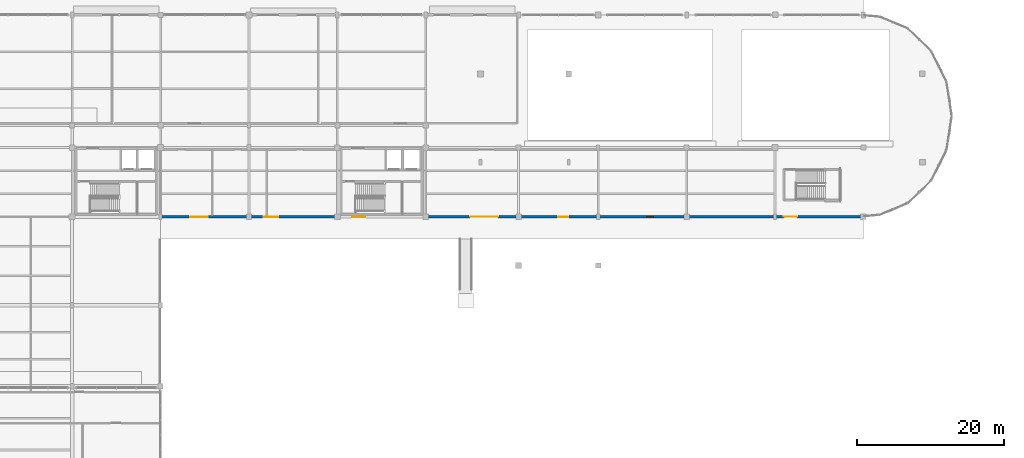
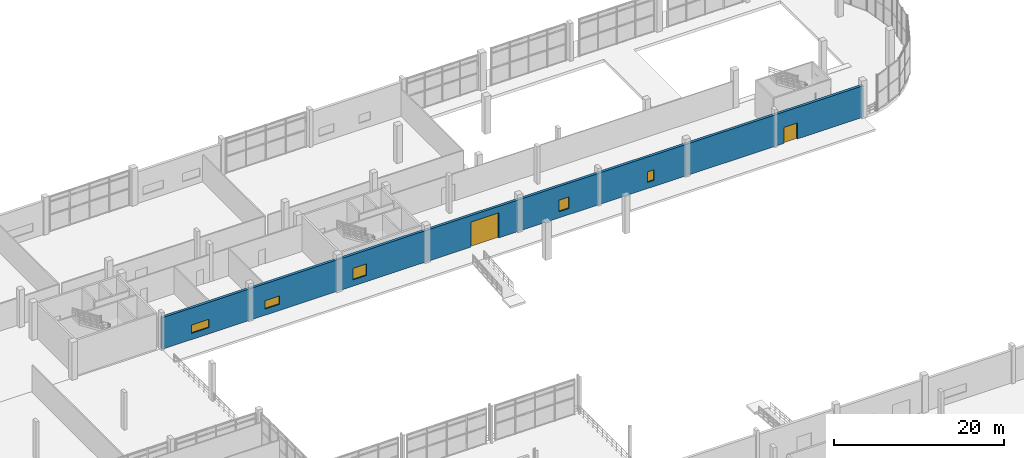
# One storey, part 62 of 85: 5 windows, 2 doors, 1 wall, 7 openings.
"""IFC4 building model written with IfcOpenShell, lengths in metres."""

from ifc_helpers import new_model, si_unit, direction, frame, frame_2d, origin, place, context, subcontext, project, spatial, rectangle, extrude, material, layer, layer_set, type_object, element, fill, save


model = new_model("IFC4")

# Units and contexts
model_context = context("Model", 3, precision=1e-05, world=origin(), true_north=direction((0.0, 1.0)))
body_context = subcontext(model_context, "Body", "Model", "MODEL_VIEW")
ifc_project = project(units=[si_unit("LENGTHUNIT", "METRE"), si_unit("AREAUNIT", "SQUARE_METRE"), si_unit("VOLUMEUNIT", "CUBIC_METRE"), si_unit("PLANEANGLEUNIT", "RADIAN"), si_unit("MASSUNIT", "GRAM", prefix="KILO"), si_unit("THERMODYNAMICTEMPERATUREUNIT", "KELVIN"), si_unit("POWERUNIT", "WATT")], contexts=[model_context])

# Site, building, storey
site_placement = place(None, origin())
site = spatial("IfcSite", under=ifc_project, at=site_placement, CompositionType="ELEMENT")
building_placement = place(site_placement, origin())
building = spatial("IfcBuilding", under=site, at=building_placement, Name="Solmara Park Aquatics Centre", CompositionType="ELEMENT")
storey_placement = place(building_placement, origin())
storey = spatial("IfcBuildingStorey", under=building, at=storey_placement, Name="L00", CompositionType="ELEMENT", Elevation=0.0)

# Wall, openings, doors, windows
ifc_material_1 = material(Name="Insulated Limestone Render Wall", Category="masonry")
ifc_layer = layer(ifc_material_1, 0.35009765625, Name="Insulated Limestone Render Wall")
ifc_layer_set = layer_set([ifc_layer], Name="Insulated Limestone Render Wall")
wall_type = type_object("IfcWallType", Name="ARC-WL-EXT350", PredefinedType="SOLIDWALL", material=ifc_layer_set)
wall_placement = place(storey_placement, frame((60.60009765625, 108.60009765625, 0.0), z_axis=(0.0, 0.0, 1.0), x_axis=(1.0, 0.0, 0.0)))
wall = element("IfcWall", 1, at=wall_placement, inside=storey, type_object=wall_type, Name="Exterior Facade Wall EW-L00-021", PredefinedType="SOLIDWALL", context=body_context, shape_type="SweptSolid", body=[
    extrude(rectangle(XDim=95.39990234375, YDim=0.35009765625, at=frame_2d((47.699951171875, 0.0))), origin(), (0.0, 0.0, 1.0), 4.530029296875),
])
opening_1_placement = place(wall_placement, frame((42.0, 0.0, 0.0)))
opening_1 = element("IfcOpeningElement", 2, at=opening_1_placement, cuts=wall, Name="Opening D-07", PredefinedType="OPENING", context=body_context, shape_type="SweptSolid", body=[
    extrude(rectangle(XDim=3.800048828125, YDim=3.60009765625, at=frame_2d((1.89990234375, 1.800048828125))), frame((0.0, 0.18505859375, 0.0), z_axis=(0.0, -1.0, 0.0), x_axis=(1.0, 0.0, 0.0)), (0.0, 0.0, 1.0), 0.3701171875),
])
opening_2_placement = place(wall_placement, frame((84.60009765625, 0.0, 0.0)))
opening_2 = element("IfcOpeningElement", 3, at=opening_2_placement, cuts=wall, Name="Opening D-03", PredefinedType="OPENING", context=body_context, shape_type="SweptSolid", body=[
    extrude(rectangle(XDim=1.800048828125, YDim=2.300048828125, at=frame_2d((0.89990234375, 1.14990234375))), frame((0.0, 0.18505859375, 0.0), z_axis=(0.0, -1.0, 0.0), x_axis=(1.0, 0.0, 0.0)), (0.0, 0.0, 1.0), 0.3701171875),
])
opening_3_placement = place(wall_placement, frame((4.0, 0.0, 0.89990234375)))
opening_3 = element("IfcOpeningElement", 4, at=opening_3_placement, cuts=wall, Name="Opening W-06", PredefinedType="OPENING", context=body_context, shape_type="SweptSolid", body=[
    extrude(rectangle(XDim=2.39990234375, YDim=1.199951171875, at=frame_2d((1.199951171875, 0.60009765625))), frame((0.0, 0.18505859375, 0.0), z_axis=(0.0, -1.0, 0.0), x_axis=(1.0, 0.0, 0.0)), (0.0, 0.0, 1.0), 0.3701171875),
])
opening_4_placement = place(wall_placement, frame((14.0, 0.0, 0.89990234375)))
opening_4 = element("IfcOpeningElement", 5, at=opening_4_placement, cuts=wall, Name="Opening W-07", PredefinedType="OPENING", context=body_context, shape_type="SweptSolid", body=[
    extrude(rectangle(XDim=2.0, YDim=1.199951171875, at=frame_2d((1.0, 0.60009765625))), frame((0.0, 0.18505859375, 0.0), z_axis=(0.0, -1.0, 0.0), x_axis=(1.0, 0.0, 0.0)), (0.0, 0.0, 1.0), 0.3701171875),
])
opening_5_placement = place(wall_placement, frame((26.0, 0.0, 0.89990234375)))
opening_5 = element("IfcOpeningElement", 6, at=opening_5_placement, cuts=wall, Name="Opening W-25", PredefinedType="OPENING", context=body_context, shape_type="SweptSolid", body=[
    extrude(rectangle(XDim=1.800048828125, YDim=1.64990234375, at=frame_2d((0.89990234375, 0.824951171875))), frame((0.0, 0.18505859375, 0.0), z_axis=(0.0, -1.0, 0.0), x_axis=(1.0, 0.0, 0.0)), (0.0, 0.0, 1.0), 0.3701171875),
])
opening_6_placement = place(wall_placement, frame((54.0, 0.0, 0.89990234375)))
opening_6 = element("IfcOpeningElement", 7, at=opening_6_placement, cuts=wall, Name="Opening W-26", PredefinedType="OPENING", context=body_context, shape_type="SweptSolid", body=[
    extrude(rectangle(XDim=1.35009765625, YDim=1.64990234375, at=frame_2d((0.675048828125, 0.824951171875))), frame((0.0, 0.18505859375, 0.0), z_axis=(0.0, -1.0, 0.0), x_axis=(1.0, 0.0, 0.0)), (0.0, 0.0, 1.0), 0.3701171875),
])
opening_7_placement = place(wall_placement, frame((66.0, 0.0, 0.89990234375)))
opening_7 = element("IfcOpeningElement", 8, at=opening_7_placement, cuts=wall, Name="Opening W-20", PredefinedType="OPENING", context=body_context, shape_type="SweptSolid", body=[
    extrude(rectangle(XDim=0.89990234375, YDim=1.5, at=frame_2d((0.449951171875, 0.75))), frame((0.0, 0.18505859375, 0.0), z_axis=(0.0, -1.0, 0.0), x_axis=(1.0, 0.0, 0.0)), (0.0, 0.0, 1.0), 0.3701171875),
])
ifc_material_2 = material(Name="Thermally Broken Powder-Coated Aluminium and Laminated Glass", Category="aluminium")
door_type_1 = type_object("IfcDoorType", Name="ARC-DR-EXT180x230", OperationType="DOUBLE_DOOR_SINGLE_SWING", PredefinedType="DOOR", material=ifc_material_2)
door_1_placement = place(opening_2_placement, frame((1.800048828125, 0.0, 0.0), z_axis=(0.0, 0.0, 1.0), x_axis=(-1.0, 0.0, 0.0)))
door_1 = element("IfcDoor", 9, at=door_1_placement, inside=storey, type_object=door_type_1, Name="East Wellness ST-07 Final Exit (EX-17)", OperationType="DOUBLE_DOOR_SINGLE_SWING", OverallHeight=2.300048828125, OverallWidth=1.800048828125, PredefinedType="DOOR", context=body_context, shape_type="SweptSolid", body=[
    extrude(rectangle(XDim=1.800048828125, YDim=2.300048828125, at=frame_2d((0.89990234375, 1.14990234375))), frame((0.0, 0.02490234375, 0.0), z_axis=(0.0, -1.0, 0.0), x_axis=(1.0, 0.0, 0.0)), (0.0, 0.0, 1.0), 0.050048828125),
])
fill(opening_2, door_1)
door_type_2 = type_object("IfcDoorType", Name="ARC-DR-SRV380x360", OperationType="ROLLINGUP", PredefinedType="DOOR", material=ifc_material_2)
door_2_placement = place(opening_1_placement, frame((3.800048828125, 0.0, 0.0), z_axis=(0.0, 0.0, 1.0), x_axis=(-1.0, 0.0, 0.0)))
door_2 = element("IfcDoor", 10, at=door_2_placement, inside=storey, type_object=door_type_2, Name="Pool Equipment Service Bay Shutter (EX-16)", OperationType="ROLLINGUP", OverallHeight=3.60009765625, OverallWidth=3.800048828125, PredefinedType="DOOR", context=body_context, shape_type="SweptSolid", body=[
    extrude(rectangle(XDim=3.800048828125, YDim=3.60009765625, at=frame_2d((1.89990234375, 1.800048828125))), frame((0.0, 0.02490234375, 0.0), z_axis=(0.0, -1.0, 0.0), x_axis=(1.0, 0.0, 0.0)), (0.0, 0.0, 1.0), 0.050048828125),
])
fill(opening_1, door_2)
ifc_material_3 = material(Name="Thermally Broken Aluminium and Low-E Double Glazing", Category="aluminium")
window_type_1 = type_object("IfcWindowType", Name="ARC-WN-090x150", PartitioningType="SINGLE_PANEL", PredefinedType="WINDOW", material=ifc_material_3)
window_1_placement = place(opening_7_placement, frame((0.89990234375, 0.0, 0.0), z_axis=(0.0, 0.0, 1.0), x_axis=(-1.0, 0.0, 0.0)))
window_1 = element("IfcWindow", 11, at=window_1_placement, inside=storey, type_object=window_type_1, Name="Ribbon Window WN-052", OverallHeight=1.5, OverallWidth=0.89990234375, PartitioningType="SINGLE_PANEL", PredefinedType="WINDOW", context=body_context, shape_type="SweptSolid", body=[
    extrude(rectangle(XDim=0.89990234375, YDim=1.5, at=frame_2d((0.449951171875, 0.75))), frame((0.0, 0.030029296875, 0.0), z_axis=(0.0, -1.0, 0.0), x_axis=(1.0, 0.0, 0.0)), (0.0, 0.0, 1.0), 0.06005859375),
])
fill(opening_7, window_1)
window_type_2 = type_object("IfcWindowType", Name="ARC-WN-135x165", PartitioningType="SINGLE_PANEL", PredefinedType="WINDOW", material=ifc_material_3)
window_2_placement = place(opening_6_placement, frame((1.35009765625, 0.0, 0.0), z_axis=(0.0, 0.0, 1.0), x_axis=(-1.0, 0.0, 0.0)))
window_2 = element("IfcWindow", 12, at=window_2_placement, inside=storey, type_object=window_type_2, Name="Ribbon Window WN-051", OverallHeight=1.64990234375, OverallWidth=1.35009765625, PartitioningType="SINGLE_PANEL", PredefinedType="WINDOW", context=body_context, shape_type="SweptSolid", body=[
    extrude(rectangle(XDim=1.35009765625, YDim=1.64990234375, at=frame_2d((0.675048828125, 0.824951171875))), frame((0.0, 0.030029296875, 0.0), z_axis=(0.0, -1.0, 0.0), x_axis=(1.0, 0.0, 0.0)), (0.0, 0.0, 1.0), 0.06005859375),
])
fill(opening_6, window_2)
window_type_3 = type_object("IfcWindowType", Name="ARC-WN-180x165", PartitioningType="SINGLE_PANEL", PredefinedType="WINDOW", material=ifc_material_3)
window_3_placement = place(opening_5_placement, frame((1.800048828125, 0.0, 0.0), z_axis=(0.0, 0.0, 1.0), x_axis=(-1.0, 0.0, 0.0)))
window_3 = element("IfcWindow", 13, at=window_3_placement, inside=storey, type_object=window_type_3, Name="Ribbon Window WN-050", OverallHeight=1.64990234375, OverallWidth=1.800048828125, PartitioningType="SINGLE_PANEL", PredefinedType="WINDOW", context=body_context, shape_type="SweptSolid", body=[
    extrude(rectangle(XDim=1.800048828125, YDim=1.64990234375, at=frame_2d((0.89990234375, 0.824951171875))), frame((0.0, 0.030029296875, 0.0), z_axis=(0.0, -1.0, 0.0), x_axis=(1.0, 0.0, 0.0)), (0.0, 0.0, 1.0), 0.06005859375),
])
fill(opening_5, window_3)
window_type_4 = type_object("IfcWindowType", Name="ARC-WN-200x120", PartitioningType="DOUBLE_PANEL_VERTICAL", PredefinedType="WINDOW", material=ifc_material_3)
window_4_placement = place(opening_4_placement, frame((2.0, 0.0, 0.0), z_axis=(0.0, 0.0, 1.0), x_axis=(-1.0, 0.0, 0.0)))
window_4 = element("IfcWindow", 14, at=window_4_placement, inside=storey, type_object=window_type_4, Name="Ribbon Window WN-049", OverallHeight=1.199951171875, OverallWidth=2.0, PartitioningType="DOUBLE_PANEL_VERTICAL", PredefinedType="WINDOW", context=body_context, shape_type="SweptSolid", body=[
    extrude(rectangle(XDim=2.0, YDim=1.199951171875, at=frame_2d((1.0, 0.60009765625))), frame((0.0, 0.030029296875, 0.0), z_axis=(0.0, -1.0, 0.0), x_axis=(1.0, 0.0, 0.0)), (0.0, 0.0, 1.0), 0.06005859375),
])
fill(opening_4, window_4)
window_type_5 = type_object("IfcWindowType", Name="ARC-WN-240x120", PartitioningType="DOUBLE_PANEL_HORIZONTAL", PredefinedType="WINDOW", material=ifc_material_3)
window_5_placement = place(opening_3_placement, frame((2.39990234375, 0.0, 0.0), z_axis=(0.0, 0.0, 1.0), x_axis=(-1.0, 0.0, 0.0)))
window_5 = element("IfcWindow", 15, at=window_5_placement, inside=storey, type_object=window_type_5, Name="Ribbon Window WN-048", OverallHeight=1.199951171875, OverallWidth=2.39990234375, PartitioningType="DOUBLE_PANEL_HORIZONTAL", PredefinedType="WINDOW", context=body_context, shape_type="SweptSolid", body=[
    extrude(rectangle(XDim=2.39990234375, YDim=1.199951171875, at=frame_2d((1.199951171875, 0.60009765625))), frame((0.0, 0.030029296875, 0.0), z_axis=(0.0, -1.0, 0.0), x_axis=(1.0, 0.0, 0.0)), (0.0, 0.0, 1.0), 0.06005859375),
])
fill(opening_3, window_5)

save(model, "model.ifc")
